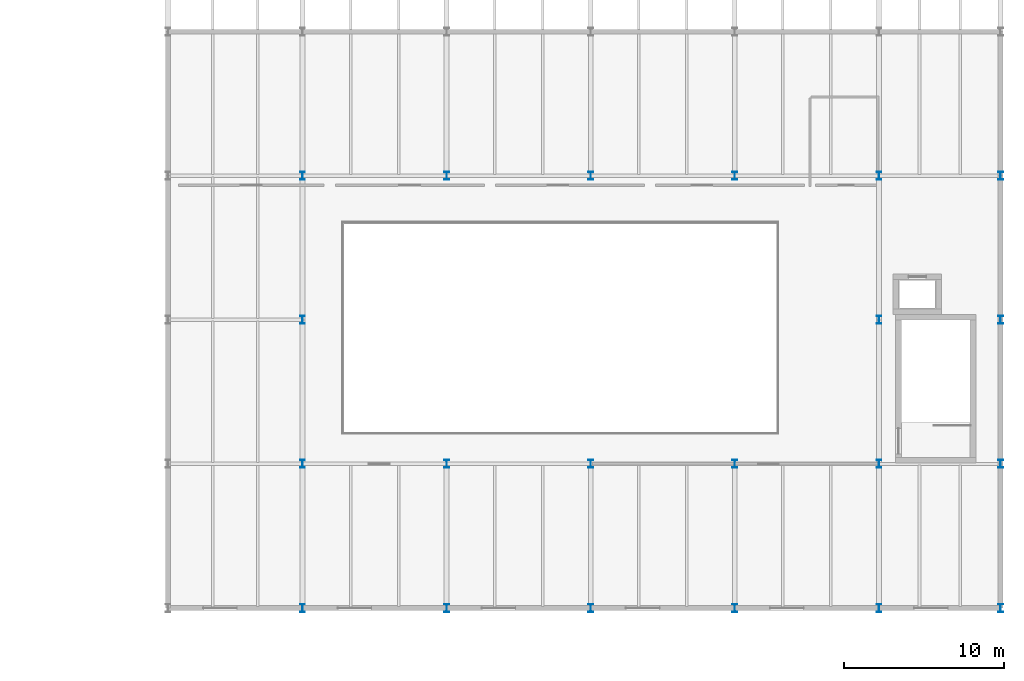
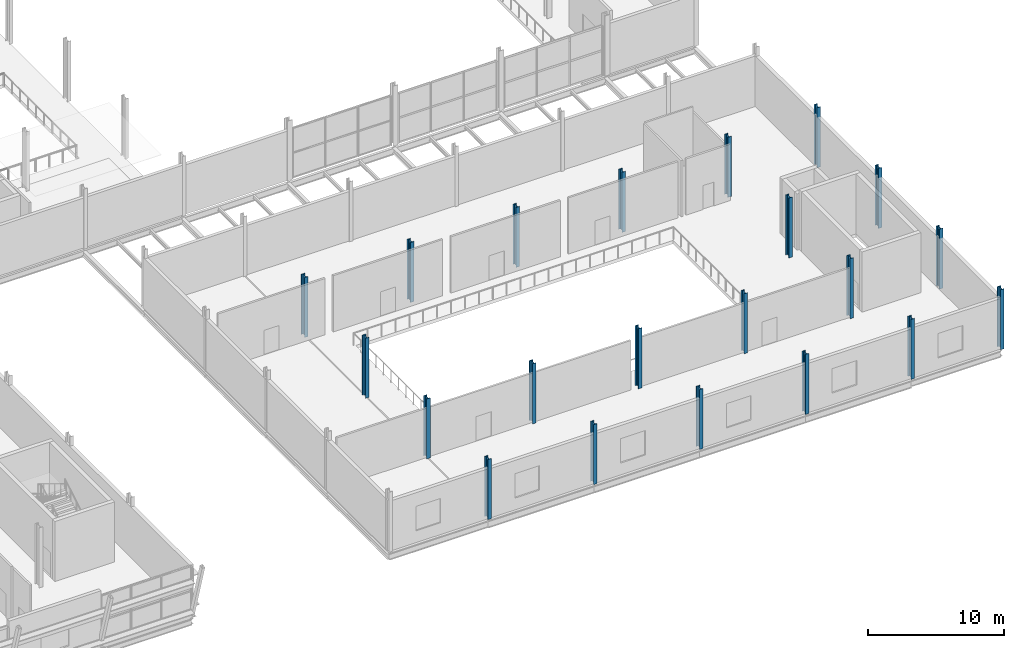
# One storey, part 13 of 78: 21 columns.
"""IFC4 building model written with IfcOpenShell, lengths in metres."""

import ifcopenshell
import ifcopenshell.guid

model = None  # the IFC model being written
_history = None  # IfcOwnerHistory: only IFC2X3 demands one
_inside = {}  # id of a spatial element -> (the spatial element, [elements in it])
_under = {}  # id of a project, library or spatial element -> (it, [spatial elements below it])
_declared = {}  # id of a project -> (the project, [libraries it declares])
_typed = {}  # id of a type object -> (the type object, [elements of that type])
_made_of = {}  # id of a material, layer set ... -> (it, [elements and type objects made of it])


def new_model(schema):
    """Start an empty IFC model of exactly this schema.

    Asked for "IFC4X3", IfcOpenShell would pick the latest addendum, in which some entities
    have other attributes; the version numbers below select the first issue.
    IFC2X3 requires an IfcOwnerHistory on every rooted entity: one is made here for all.
    """
    global model, _history
    if schema == "IFC4X3":
        model = ifcopenshell.file(schema_version=(4, 3, 0, 0))
    else:
        model = ifcopenshell.file(schema=schema)
    _inside.clear()
    _under.clear()
    _declared.clear()
    _typed.clear()
    _made_of.clear()
    _history = None
    if model.schema == "IFC2X3":
        org = make("IfcOrganization", Name="unknown")
        user = make(
            "IfcPersonAndOrganization",
            ThePerson=make("IfcPerson", FamilyName="unknown"),
            TheOrganization=org,
        )
        app = make(
            "IfcApplication",
            ApplicationDeveloper=org,
            Version="unknown",
            ApplicationFullName="unknown",
            ApplicationIdentifier="unknown",
        )
        _history = make(
            "IfcOwnerHistory",
            OwningUser=user,
            OwningApplication=app,
            ChangeAction="ADDED",
            CreationDate=0,
        )
    return model


def make(cls, **values):
    """One entity of the class cls with the attributes given. An attribute that is None is left unset."""
    return model.create_entity(
        cls, **{name: value for name, value in values.items() if value is not None}
    )


def rooted(cls, **values):
    """An entity with a GlobalId (a new one), such as an element, a storey or a relation."""
    return make(cls, GlobalId=ifcopenshell.guid.new(), OwnerHistory=_history, **values)


def si_unit(unit_type, name, prefix=None):
    """IfcSIUnit, for example si_unit("LENGTHUNIT", "METRE", prefix="MILLI")."""
    return make("IfcSIUnit", UnitType=unit_type, Prefix=prefix, Name=name)


def assignment(units):
    """IfcUnitAssignment: the units of a project."""
    return None if units is None else make("IfcUnitAssignment", Units=units)


def point(xyz):
    """IfcCartesianPoint."""
    return None if xyz is None else make("IfcCartesianPoint", Coordinates=xyz)


def direction(xyz):
    """IfcDirection."""
    return None if xyz is None else make("IfcDirection", DirectionRatios=xyz)


def frame(location, z_axis=None, x_axis=None):
    """IfcAxis2Placement3D, a coordinate frame: its origin and axes. An axis left out is left unset."""
    return make(
        "IfcAxis2Placement3D",
        Location=point(location),
        Axis=direction(z_axis),
        RefDirection=direction(x_axis),
    )


def frame_2d(location, x_axis=None):
    """IfcAxis2Placement2D, a coordinate frame in the plane: its origin and x axis."""
    return make(
        "IfcAxis2Placement2D", Location=point(location), RefDirection=direction(x_axis)
    )


def origin():
    """The frame at (0, 0, 0) with its axes left unset."""
    return frame((0.0, 0.0, 0.0))


def origin_2d():
    """The frame at (0, 0) in the plane with its x axis left unset."""
    return frame_2d((0.0, 0.0))


def place(relative_to, where):
    """IfcLocalPlacement: puts the frame where relative to a parent placement (None: the world)."""
    return make(
        "IfcLocalPlacement", PlacementRelTo=relative_to, RelativePlacement=where
    )


def context(
    kind, dimensions, precision=None, world=None, true_north=None, identifier=None
):
    """IfcGeometricRepresentationContext, for example the 3D "Model" context."""
    return make(
        "IfcGeometricRepresentationContext",
        ContextIdentifier=identifier,
        ContextType=kind,
        CoordinateSpaceDimension=dimensions,
        Precision=precision,
        WorldCoordinateSystem=world,
        TrueNorth=true_north,
    )


def subcontext(parent, identifier, kind, view, scale=None):
    """IfcGeometricRepresentationSubContext, for example "Body" below "Model"."""
    return make(
        "IfcGeometricRepresentationSubContext",
        ContextIdentifier=identifier,
        ContextType=kind,
        ParentContext=parent,
        TargetScale=scale,
        TargetView=view,
    )


def project(units=None, contexts=None):
    """IfcProject with its units and contexts."""
    return rooted(
        "IfcProject",
        Name="project",
        RepresentationContexts=contexts,
        UnitsInContext=assignment(units),
    )


def spatial(cls, under=None, at=None, **own):
    """A site, building, storey or space (cls), placed at a placement, below another one or the project."""
    s = rooted(cls, ObjectPlacement=at, **own)
    if under is not None:
        _under.setdefault(under.id(), (under, []))[1].append(s)
    return s


def profile(cls, at=None, kind="AREA", **sizes):
    """A parametric profile (cls). Its sizes go by their IFC names, for example OverallWidth=200.0."""
    return make(cls, ProfileType=kind, Position=at, **sizes)


def i_section(**sizes):
    """IfcIShapeProfileDef."""
    return profile("IfcIShapeProfileDef", **sizes)


def extrude(swept, where, along, depth):
    """IfcExtrudedAreaSolid: the profile swept, set in the frame where, extruded along a direction by depth."""
    return make(
        "IfcExtrudedAreaSolid",
        SweptArea=swept,
        Position=where,
        ExtrudedDirection=direction(along),
        Depth=depth,
    )


def shape(context_of_items, identifier, shape_type, items):
    """IfcShapeRepresentation: the items that make up one representation, for example the "Body"."""
    return make(
        "IfcShapeRepresentation",
        ContextOfItems=context_of_items,
        RepresentationIdentifier=identifier,
        RepresentationType=shape_type,
        Items=items,
    )


def material(Name=None, Category=None):
    """IfcMaterial."""
    return make("IfcMaterial", Name=Name, Category=Category)


def material_profile(
    of_material, cross_section, Name=None, Category=None, Priority=None
):
    """IfcMaterialProfile: a cross section and its material."""
    return make(
        "IfcMaterialProfile",
        Name=Name,
        Material=of_material,
        Profile=cross_section,
        Priority=Priority,
        Category=Category,
    )


def profile_set(profiles, Name=None, composite=None):
    """IfcMaterialProfileSet."""
    return make(
        "IfcMaterialProfileSet",
        Name=Name,
        MaterialProfiles=profiles,
        CompositeProfile=composite,
    )


def made_of(thing, what):
    """Note that an element or type object is made of a material, layer set ...; save() writes the relation."""
    if what is not None:
        _made_of.setdefault(what.id(), (what, []))[1].append(thing)
    return thing


def type_object(cls, material=None, **own):
    """A type object (cls), such as IfcWallType, which elements share."""
    return made_of(rooted(cls, **own), material)


def element(
    cls,
    number,
    at=None,
    inside=None,
    cuts=None,
    type_object=None,
    material=None,
    context=None,
    identifier="Body",
    shape_type=None,
    held_by="IfcProductDefinitionShape",
    body=None,
    shapes=None,
    **own,
):
    """One element of the class cls, such as IfcWall. Its Tag is "e" and its number.

    at: its placement. inside: the storey or other place that contains it. cuts: it is an
    opening in that element (IfcRelVoidsElement). A single representation is given by context,
    identifier, shape_type and body (its items); several are given by shapes. held_by: the class
    of the entity that holds the representations. save() writes the other relations.
    """
    e = rooted(cls, Tag="e%d" % number, ObjectPlacement=at, **own)
    if body is not None:
        shapes = [shape(context, identifier, shape_type, body)]
    if shapes is not None:
        e.Representation = make(held_by, Representations=shapes)
    if inside is not None:
        _inside.setdefault(inside.id(), (inside, []))[1].append(e)
    if cuts is not None:
        rooted(
            "IfcRelVoidsElement", RelatingBuildingElement=cuts, RelatedOpeningElement=e
        )
    if type_object is not None:
        _typed.setdefault(type_object.id(), (type_object, []))[1].append(e)
    return made_of(e, material)


def aggregate(whole, parts):
    """IfcRelAggregates: a whole, such as a stair, and the parts it consists of."""
    return rooted("IfcRelAggregates", RelatingObject=whole, RelatedObjects=parts)


def save(model, path):
    """Write the relations noted so far, then the file.

    IfcRelAggregates (storeys below a building ...), IfcRelContainedInSpatialStructure (elements
    in a storey), IfcRelDefinesByType, IfcRelAssociatesMaterial and IfcRelDeclares: one each for
    every whole, place, type object, material and project.
    """
    for whole, parts in _under.values():
        aggregate(whole, parts)
    for where, things in _inside.values():
        rooted(
            "IfcRelContainedInSpatialStructure",
            RelatedElements=things,
            RelatingStructure=where,
        )
    for kind, things in _typed.values():
        rooted("IfcRelDefinesByType", RelatedObjects=things, RelatingType=kind)
    for what, things in _made_of.values():
        rooted("IfcRelAssociatesMaterial", RelatedObjects=things, RelatingMaterial=what)
    for by, libraries in _declared.values():
        rooted("IfcRelDeclares", RelatingContext=by, RelatedDefinitions=libraries)
    model.write(path)


model = new_model("IFC4")

# Units and contexts
model_context = context("Model", 3, precision=1e-05, world=origin(), true_north=direction((0.0, 1.0)))
body_context = subcontext(model_context, "Body", "Model", "MODEL_VIEW")
ifc_project = project(units=[si_unit("LENGTHUNIT", "METRE"), si_unit("AREAUNIT", "SQUARE_METRE"), si_unit("VOLUMEUNIT", "CUBIC_METRE"), si_unit("PLANEANGLEUNIT", "RADIAN"), si_unit("MASSUNIT", "GRAM", prefix="KILO")], contexts=[model_context])

# Site, building, storey
site_placement = place(None, origin())
site = spatial("IfcSite", under=ifc_project, at=site_placement, CompositionType="ELEMENT")
building_placement = place(site_placement, origin())
building = spatial("IfcBuilding", under=site, at=building_placement, Name="Sefraquen Railside Congress Hotel", CompositionType="ELEMENT")
storey_placement = place(building_placement, frame((0.0, 0.0, 6.0)))
storey = spatial("IfcBuildingStorey", under=building, at=storey_placement, Name="L01", CompositionType="ELEMENT", Elevation=6.0)

# Columns
ifc_material = material(Name="Steel S355JR", Category="steel")
ifc_material_profile = material_profile(ifc_material, i_section(OverallWidth=0.300048828125, OverallDepth=0.5, WebThickness=0.014404296875, FlangeThickness=0.028076171875, FilletRadius=0.027099609375, at=origin_2d()), Name="HEB 500")
ifc_profile_set = profile_set([ifc_material_profile], Name="Steel S355JR")
column_type = type_object("IfcColumnType", Name="TC-HEB-500", PredefinedType="COLUMN", material=ifc_profile_set)
for number, where, z_axis, x_axis, name in (
    (1, (128.39990234375, 9.0, 0.0), (0.0, 0.0, 1.0), (1.0, 0.0, 0.0), "Structural column 17-B L01"),
    (2, (128.39990234375, 18.0, 0.0), (0.0, 0.0, 1.0), (1.0, 0.0, 0.0), "Structural column 17-C L01"),
    (3, (128.39990234375, 27.0, 0.0), (0.0, 0.0, 1.0), (1.0, 0.0, 0.0), "Structural column 17-D L01"),
    (4, (128.39990234375, 36.0, 0.0), (0.0, 0.0, 1.0), (1.0, 0.0, 0.0), "Structural column 17-E L01"),
    (5, (137.39990234375, 9.0, 0.0), (0.0, 0.0, 1.0), (1.0, 0.0, 0.0), "Structural column 18-B L01"),
    (6, (137.39990234375, 18.0, 0.0), (0.0, 0.0, 1.0), (1.0, 0.0, 0.0), "Structural column 18-C L01"),
    (7, (137.39990234375, 36.0, 0.0), (0.0, 0.0, 1.0), (1.0, 0.0, 0.0), "Structural column 18-E L01"),
    (8, (146.39990234375, 9.0, 0.0), (0.0, 0.0, 1.0), (1.0, 0.0, 0.0), "Structural column 19-B L01"),
    (9, (146.39990234375, 18.0, 0.0), (0.0, 0.0, 1.0), (1.0, 0.0, 0.0), "Structural column 19-C L01"),
    (10, (146.39990234375, 36.0, 0.0), (0.0, 0.0, 1.0), (1.0, 0.0, 0.0), "Structural column 19-E L01"),
    (11, (155.39990234375, 9.0, 0.0), (0.0, 0.0, 1.0), (1.0, 0.0, 0.0), "Structural column 20-B L01"),
    (12, (155.39990234375, 18.0, 0.0), (0.0, 0.0, 1.0), (1.0, 0.0, 0.0), "Structural column 20-C L01"),
    (13, (155.39990234375, 36.0, 0.0), (0.0, 0.0, 1.0), (1.0, 0.0, 0.0), "Structural column 20-E L01"),
    (14, (164.39990234375, 9.0, 0.0), (0.0, 0.0, 1.0), (1.0, 0.0, 0.0), "Structural column 21-B L01"),
    (15, (164.39990234375, 18.0, 0.0), (0.0, 0.0, 1.0), (1.0, 0.0, 0.0), "Structural column 21-C L01"),
    (16, (164.39990234375, 27.0, 0.0), (0.0, 0.0, 1.0), (1.0, 0.0, 0.0), "Structural column 21-D L01"),
    (17, (164.39990234375, 36.0, 0.0), (0.0, 0.0, 1.0), (1.0, 0.0, 0.0), "Structural column 21-E L01"),
    (18, (172.0, 9.0, 0.0), (0.0, 0.0, 1.0), (1.0, 0.0, 0.0), "Structural column 22-B L01"),
    (19, (172.0, 18.0, 0.0), (0.0, 0.0, 1.0), (1.0, 0.0, 0.0), "Structural column 22-C L01"),
    (20, (172.0, 27.0, 0.0), (0.0, 0.0, 1.0), (1.0, 0.0, 0.0), "Structural column 22-D L01"),
    (21, (172.0, 36.0, 0.0), (0.0, 0.0, 1.0), (1.0, 0.0, 0.0), "Structural column 22-E L01"),
):
    element("IfcColumn", number, at=place(storey_placement, frame(where, z_axis=z_axis, x_axis=x_axis)), inside=storey, type_object=column_type, Name=name, PredefinedType="COLUMN", context=body_context, shape_type="SweptSolid", body=[
        extrude(i_section(OverallWidth=0.300048828125, OverallDepth=0.5, WebThickness=0.014404296875, FlangeThickness=0.028076171875, FilletRadius=0.027099609375, at=origin_2d()), origin(), (0.0, 0.0, 1.0), 5.39990234375),
    ])

save(model, "model.ifc")
